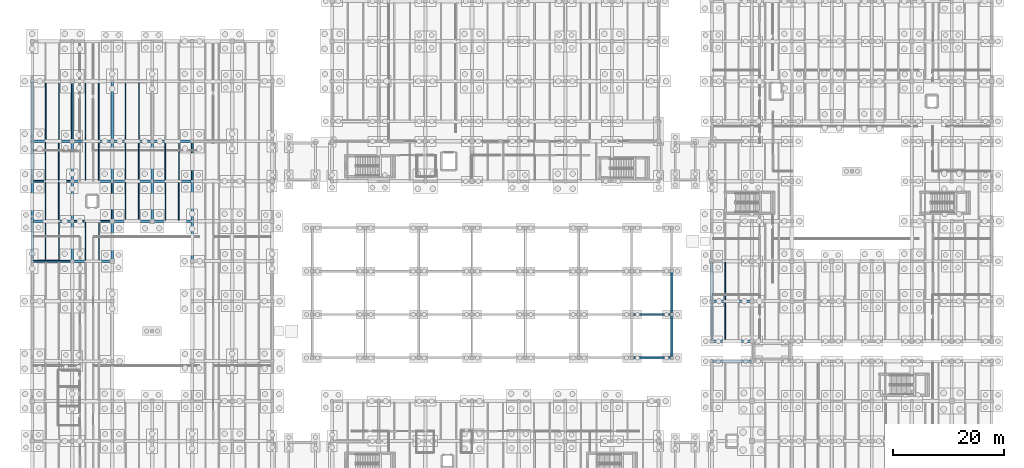
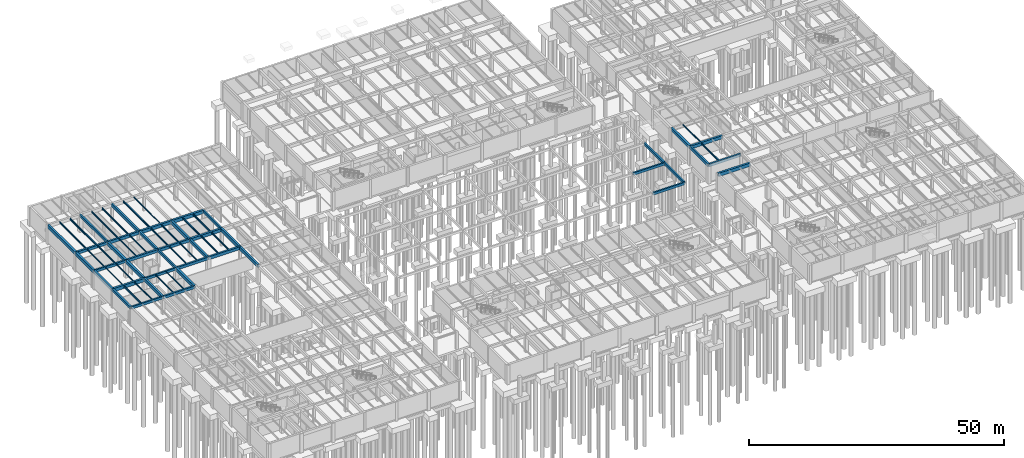
# One storey, part 28 of 63: 66 beams.
"""IFC4 building model written with IfcOpenShell, lengths in metres."""

from ifc_helpers import new_model, si_unit, direction, frame, origin, origin_2d, place, context, subcontext, project, spatial, rectangle, i_section, extrude, material, material_profile, profile_set, type_object, element, save


model = new_model("IFC4")

# Units and contexts
model_context = context("Model", 3, precision=1e-05, world=origin(), true_north=direction((0.0, 1.0)))
body_context = subcontext(model_context, "Body", "Model", "MODEL_VIEW")
ifc_project = project(units=[si_unit("LENGTHUNIT", "METRE"), si_unit("AREAUNIT", "SQUARE_METRE"), si_unit("VOLUMEUNIT", "CUBIC_METRE"), si_unit("PLANEANGLEUNIT", "RADIAN"), si_unit("MASSUNIT", "GRAM", prefix="KILO")], contexts=[model_context])

# Site, building, storey
site_placement = place(None, origin())
site = spatial("IfcSite", under=ifc_project, at=site_placement, CompositionType="ELEMENT")
building_placement = place(site_placement, origin())
building = spatial("IfcBuilding", under=site, at=building_placement, Name="Mazaris Harbour Polytechnic", CompositionType="ELEMENT")
storey_placement = place(building_placement, frame((0.0, 0.0, -4.5)))
storey = spatial("IfcBuildingStorey", under=building, at=storey_placement, Name="B1", CompositionType="ELEMENT", Elevation=-4.5)

# Beams
ifc_material_1 = material(Name="Concrete C35/45", Category="concrete")
ifc_material_profile_1 = material_profile(ifc_material_1, rectangle(XDim=0.35009765625, YDim=0.60009765625, at=origin_2d()), Name="RECT350x600")
ifc_profile_set_1 = profile_set([ifc_material_profile_1], Name="Concrete C35/45")
beam_type_1 = type_object("IfcBeamType", Name="RC Girder 350x600", PredefinedType="BEAM", material=ifc_profile_set_1)
for number, where, z_axis, x_axis, name in (
    (1, (0.0, 61.199951171875, 3.8798828125), (1.0, 0.0, 0.0), (0.0, 1.0, 0.0), "V4 B1 Girder 1120"),
    (2, (7.199951171875, 68.39990234375, 3.8798828125), (1.0, 0.0, 0.0), (0.0, 1.0, 0.0), "V4 B1 Girder 1125"),
    (3, (0.0, 75.60009765625, 3.8798828125), (1.0, 0.0, 0.0), (0.0, 1.0, 0.0), "V4 B1 Girder 1130"),
):
    element("IfcBeam", number, at=place(storey_placement, frame(where, z_axis=z_axis, x_axis=x_axis)), inside=storey, type_object=beam_type_1, Name=name, PredefinedType="BEAM", context=body_context, shape_type="SweptSolid", body=[
        extrude(rectangle(XDim=0.35009765625, YDim=0.60009765625, at=origin_2d()), origin(), (0.0, 0.0, 1.0), 7.199951171875),
    ])
beam_1_placement = place(storey_placement, frame((7.199951171875, 82.800048828125, 3.8798828125), z_axis=(0.0, 1.0, 0.0), x_axis=(-1.0, 0.0, 0.0)))
element("IfcBeam", 4, at=beam_1_placement, inside=storey, type_object=beam_type_1, Name="V4 B1 Tie Girder 1175", PredefinedType="BEAM", context=body_context, shape_type="SweptSolid", body=[
    extrude(rectangle(XDim=0.35009765625, YDim=0.60009765625, at=origin_2d()), origin(), (0.0, 0.0, 1.0), 10.800048828125),
])
beam_2_placement = place(storey_placement, frame((14.39990234375, 68.39990234375, 3.8798828125), z_axis=(0.0, 1.0, 0.0), x_axis=(-1.0, 0.0, 0.0)))
element("IfcBeam", 5, at=beam_2_placement, inside=storey, type_object=beam_type_1, Name="V4 B1 Tie Girder 1185", PredefinedType="BEAM", context=body_context, shape_type="SweptSolid", body=[
    extrude(rectangle(XDim=0.35009765625, YDim=0.60009765625, at=origin_2d()), origin(), (0.0, 0.0, 1.0), 7.2001953125),
])
for number, where, z_axis, x_axis, name in (
    (6, (28.800048828125, 75.60009765625, 3.8798828125), (0.0, 1.0, 0.0), (-1.0, 0.0, 0.0), "V4 B1 Tie Girder 1205"),
    (7, (108.0, 43.800048828125, 3.89990234375), (1.0, 0.0, 0.0), (0.0, 1.0, 0.0), "Courtyard Deck Girder X-3509"),
    (8, (108.0, 51.60009765625, 3.89990234375), (1.0, 0.0, 0.0), (0.0, 1.0, 0.0), "Courtyard Deck Girder X-3516"),
):
    element("IfcBeam", number, at=place(storey_placement, frame(where, z_axis=z_axis, x_axis=x_axis)), inside=storey, type_object=beam_type_1, Name=name, PredefinedType="BEAM", context=body_context, shape_type="SweptSolid", body=[
        extrude(rectangle(XDim=0.35009765625, YDim=0.60009765625, at=origin_2d()), origin(), (0.0, 0.0, 1.0), 7.199951171875),
    ])
beam_3_placement = place(storey_placement, frame((115.199951171875, 43.800048828125, 3.89990234375), z_axis=(0.0, 1.0, 0.0), x_axis=(-1.0, 0.0, 0.0)))
element("IfcBeam", 9, at=beam_3_placement, inside=storey, type_object=beam_type_1, Name="Courtyard Deck Girder Y-3552", PredefinedType="BEAM", context=body_context, shape_type="SweptSolid", body=[
    extrude(rectangle(XDim=0.35009765625, YDim=0.60009765625, at=origin_2d()), origin(), (0.0, 0.0, 1.0), 7.800048828125),
])
beam_4_placement = place(storey_placement, frame((115.199951171875, 51.60009765625, 3.89990234375), z_axis=(0.0, 1.0, 0.0), x_axis=(-1.0, 0.0, 0.0)))
element("IfcBeam", 10, at=beam_4_placement, inside=storey, type_object=beam_type_1, Name="Courtyard Deck Girder Y-3553", PredefinedType="BEAM", context=body_context, shape_type="SweptSolid", body=[
    extrude(rectangle(XDim=0.35009765625, YDim=0.60009765625, at=origin_2d()), origin(), (0.0, 0.0, 1.0), 7.7998046875),
])
ifc_material_2 = material(Name="Concrete C35/45", Category="concrete")
ifc_material_profile_2 = material_profile(ifc_material_2, rectangle(XDim=0.39990234375, YDim=0.64990234375, at=origin_2d()), Name="RECT400x650")
ifc_profile_set_2 = profile_set([ifc_material_profile_2], Name="Concrete C35/45")
beam_type_2 = type_object("IfcBeamType", Name="RC Girder 400x650", PredefinedType="BEAM", material=ifc_profile_set_2)
beam_5_placement = place(storey_placement, frame((7.199951171875, 61.199951171875, 3.85498046875), z_axis=(1.0, 0.0, 0.0), x_axis=(0.0, 1.0, 0.0)))
element("IfcBeam", 11, at=beam_5_placement, inside=storey, type_object=beam_type_2, Name="V4 B1 Girder 1121", PredefinedType="BEAM", context=body_context, shape_type="SweptSolid", body=[
    extrude(rectangle(XDim=0.39990234375, YDim=0.64990234375, at=origin_2d()), origin(), (0.0, 0.0, 1.0), 7.199951171875),
])
beam_6_placement = place(storey_placement, frame((14.39990234375, 68.39990234375, 3.85498046875), z_axis=(1.0, 0.0, 0.0), x_axis=(0.0, 1.0, 0.0)))
element("IfcBeam", 12, at=beam_6_placement, inside=storey, type_object=beam_type_2, Name="V4 B1 Girder 1126", PredefinedType="BEAM", context=body_context, shape_type="SweptSolid", body=[
    extrude(rectangle(XDim=0.39990234375, YDim=0.64990234375, at=origin_2d()), origin(), (0.0, 0.0, 1.0), 7.2001953125),
])
for number, where, z_axis, x_axis, name in (
    (13, (7.199951171875, 75.60009765625, 3.85498046875), (1.0, 0.0, 0.0), (0.0, 1.0, 0.0), "V4 B1 Girder 1131"),
    (14, (0.0, 82.800048828125, 3.85498046875), (1.0, 0.0, 0.0), (0.0, 1.0, 0.0), "V4 B1 Girder 1136"),
    (15, (14.39990234375, 75.60009765625, 3.85498046875), (0.0, 1.0, 0.0), (-1.0, 0.0, 0.0), "V4 B1 Tie Girder 1186"),
):
    element("IfcBeam", number, at=place(storey_placement, frame(where, z_axis=z_axis, x_axis=x_axis)), inside=storey, type_object=beam_type_2, Name=name, PredefinedType="BEAM", context=body_context, shape_type="SweptSolid", body=[
        extrude(rectangle(XDim=0.39990234375, YDim=0.64990234375, at=origin_2d()), origin(), (0.0, 0.0, 1.0), 7.199951171875),
    ])
ifc_material_3 = material(Name="Concrete C35/45", Category="concrete")
ifc_material_profile_3 = material_profile(ifc_material_3, rectangle(XDim=0.39990234375, YDim=0.64990234375, at=origin_2d()), Name="RECT400x650")
ifc_profile_set_3 = profile_set([ifc_material_profile_3], Name="Concrete C35/45")
beam_type_3 = type_object("IfcBeamType", Name="RC Girder 400x650 Exterior", PredefinedType="BEAM", material=ifc_profile_set_3)
beam_7_placement = place(storey_placement, frame((0.0, 61.199951171875, 3.85498046875), z_axis=(0.0, 1.0, 0.0), x_axis=(-1.0, 0.0, 0.0)))
element("IfcBeam", 16, at=beam_7_placement, inside=storey, type_object=beam_type_3, Name="V4 B1 Tie Girder 1161", PredefinedType="BEAM", context=body_context, shape_type="SweptSolid", body=[
    extrude(rectangle(XDim=0.39990234375, YDim=0.64990234375, at=origin_2d()), origin(), (0.0, 0.0, 1.0), 7.199951171875),
])
beam_8_placement = place(storey_placement, frame((122.39990234375, 46.800048828125, 3.85498046875), z_axis=(1.0, 0.0, 0.0), x_axis=(0.0, 1.0, 0.0)))
element("IfcBeam", 17, at=beam_8_placement, inside=storey, type_object=beam_type_3, Name="V5 B1 Girder 2486", PredefinedType="BEAM", context=body_context, shape_type="SweptSolid", body=[
    extrude(rectangle(XDim=0.39990234375, YDim=0.64990234375, at=origin_2d()), origin(), (0.0, 0.0, 1.0), 7.2001953125),
])
ifc_material_4 = material(Name="Concrete C35/45", Category="concrete")
ifc_material_profile_4 = material_profile(ifc_material_4, rectangle(XDim=0.39990234375, YDim=0.699951171875, at=origin_2d()), Name="RECT400x700")
ifc_profile_set_4 = profile_set([ifc_material_profile_4], Name="Concrete C35/45")
beam_type_4 = type_object("IfcBeamType", Name="RC Girder 400x700", PredefinedType="BEAM", material=ifc_profile_set_4)
beam_9_placement = place(storey_placement, frame((21.60009765625, 68.39990234375, 3.830078125), z_axis=(1.0, 0.0, 0.0), x_axis=(0.0, 1.0, 0.0)))
element("IfcBeam", 18, at=beam_9_placement, inside=storey, type_object=beam_type_4, Name="V4 B1 Girder 1127", PredefinedType="BEAM", context=body_context, shape_type="SweptSolid", body=[
    extrude(rectangle(XDim=0.39990234375, YDim=0.699951171875, at=origin_2d()), origin(), (0.0, 0.0, 1.0), 7.199951171875),
])
beam_10_placement = place(storey_placement, frame((14.39990234375, 75.60009765625, 3.830078125), z_axis=(1.0, 0.0, 0.0), x_axis=(0.0, 1.0, 0.0)))
element("IfcBeam", 19, at=beam_10_placement, inside=storey, type_object=beam_type_4, Name="V4 B1 Girder 1132", PredefinedType="BEAM", context=body_context, shape_type="SweptSolid", body=[
    extrude(rectangle(XDim=0.39990234375, YDim=0.699951171875, at=origin_2d()), origin(), (0.0, 0.0, 1.0), 7.2001953125),
])
for number, where, z_axis, x_axis, name in (
    (20, (7.199951171875, 82.800048828125, 3.830078125), (1.0, 0.0, 0.0), (0.0, 1.0, 0.0), "V4 B1 Girder 1137"),
    (21, (7.199951171875, 61.199951171875, 3.830078125), (0.0, 1.0, 0.0), (-1.0, 0.0, 0.0), "V4 B1 Tie Girder 1172"),
):
    element("IfcBeam", number, at=place(storey_placement, frame(where, z_axis=z_axis, x_axis=x_axis)), inside=storey, type_object=beam_type_4, Name=name, PredefinedType="BEAM", context=body_context, shape_type="SweptSolid", body=[
        extrude(rectangle(XDim=0.39990234375, YDim=0.699951171875, at=origin_2d()), origin(), (0.0, 0.0, 1.0), 7.199951171875),
    ])
beam_11_placement = place(storey_placement, frame((14.39990234375, 82.800048828125, 3.830078125), z_axis=(0.0, 1.0, 0.0), x_axis=(-1.0, 0.0, 0.0)))
element("IfcBeam", 22, at=beam_11_placement, inside=storey, type_object=beam_type_4, Name="V4 B1 Tie Girder 1187", PredefinedType="BEAM", context=body_context, shape_type="SweptSolid", body=[
    extrude(rectangle(XDim=0.39990234375, YDim=0.699951171875, at=origin_2d()), origin(), (0.0, 0.0, 1.0), 10.800048828125),
])
ifc_material_5 = material(Name="Concrete C35/45", Category="concrete")
ifc_material_profile_5 = material_profile(ifc_material_5, rectangle(XDim=0.39990234375, YDim=0.699951171875, at=origin_2d()), Name="RECT400x700")
ifc_profile_set_5 = profile_set([ifc_material_profile_5], Name="Concrete C35/45")
beam_type_5 = type_object("IfcBeamType", Name="RC Girder 400x700 Exterior", PredefinedType="BEAM", material=ifc_profile_set_5)
beam_12_placement = place(storey_placement, frame((0.0, 68.39990234375, 3.830078125), z_axis=(0.0, 1.0, 0.0), x_axis=(-1.0, 0.0, 0.0)))
element("IfcBeam", 23, at=beam_12_placement, inside=storey, type_object=beam_type_5, Name="V4 B1 Tie Girder 1162", PredefinedType="BEAM", context=body_context, shape_type="SweptSolid", body=[
    extrude(rectangle(XDim=0.39990234375, YDim=0.699951171875, at=origin_2d()), origin(), (0.0, 0.0, 1.0), 7.2001953125),
])
beam_13_placement = place(storey_placement, frame((122.39990234375, 46.800048828125, 3.830078125), z_axis=(0.0, 1.0, 0.0), x_axis=(-1.0, 0.0, 0.0)))
element("IfcBeam", 24, at=beam_13_placement, inside=storey, type_object=beam_type_5, Name="V5 B1 Tie Girder 2547", PredefinedType="BEAM", context=body_context, shape_type="SweptSolid", body=[
    extrude(rectangle(XDim=0.39990234375, YDim=0.699951171875, at=origin_2d()), origin(), (0.0, 0.0, 1.0), 7.199951171875),
])
ifc_material_6 = material(Name="Concrete C40/50", Category="concrete")
ifc_material_profile_6 = material_profile(ifc_material_6, rectangle(XDim=0.449951171875, YDim=0.75, at=origin_2d()), Name="RECT450x750")
ifc_profile_set_6 = profile_set([ifc_material_profile_6], Name="Concrete C40/50")
beam_type_6 = type_object("IfcBeamType", Name="RC Girder 450x750", PredefinedType="BEAM", material=ifc_profile_set_6)
beam_14_placement = place(storey_placement, frame((21.60009765625, 75.60009765625, 3.804931640625), z_axis=(1.0, 0.0, 0.0), x_axis=(0.0, 1.0, 0.0)))
element("IfcBeam", 25, at=beam_14_placement, inside=storey, type_object=beam_type_6, Name="V4 B1 Girder 1133", PredefinedType="BEAM", context=body_context, shape_type="SweptSolid", body=[
    extrude(rectangle(XDim=0.449951171875, YDim=0.75, at=origin_2d()), origin(), (0.0, 0.0, 1.0), 7.199951171875),
])
for number, where, z_axis, x_axis, name in (
    (26, (14.39990234375, 82.800048828125, 3.804931640625), (1.0, 0.0, 0.0), (0.0, 1.0, 0.0), "V4 B1 Girder 1138"),
    (27, (7.199951171875, 68.39990234375, 3.804931640625), (0.0, 1.0, 0.0), (-1.0, 0.0, 0.0), "V4 B1 Tie Girder 1173"),
    (28, (21.60009765625, 68.39990234375, 3.804931640625), (0.0, 1.0, 0.0), (-1.0, 0.0, 0.0), "V4 B1 Tie Girder 1193"),
):
    element("IfcBeam", number, at=place(storey_placement, frame(where, z_axis=z_axis, x_axis=x_axis)), inside=storey, type_object=beam_type_6, Name=name, PredefinedType="BEAM", context=body_context, shape_type="SweptSolid", body=[
        extrude(rectangle(XDim=0.449951171875, YDim=0.75, at=origin_2d()), origin(), (0.0, 0.0, 1.0), 7.2001953125),
    ])
beam_15_placement = place(storey_placement, frame((28.800048828125, 61.199951171875, 3.804931640625), z_axis=(0.0, 1.0, 0.0), x_axis=(-1.0, 0.0, 0.0)))
element("IfcBeam", 29, at=beam_15_placement, inside=storey, type_object=beam_type_6, Name="V4 B1 Tie Girder 1203", PredefinedType="BEAM", context=body_context, shape_type="SweptSolid", body=[
    extrude(rectangle(XDim=0.449951171875, YDim=0.75, at=origin_2d()), origin(), (0.0, 0.0, 1.0), 7.199951171875),
])
beam_16_placement = place(storey_placement, frame((122.39990234375, 54.0, 3.804931640625), z_axis=(1.0, 0.0, 0.0), x_axis=(0.0, 1.0, 0.0)))
element("IfcBeam", 30, at=beam_16_placement, inside=storey, type_object=beam_type_6, Name="V5 B1 Girder 2493", PredefinedType="BEAM", context=body_context, shape_type="SweptSolid", body=[
    extrude(rectangle(XDim=0.449951171875, YDim=0.75, at=origin_2d()), origin(), (0.0, 0.0, 1.0), 7.2001953125),
])
ifc_material_7 = material(Name="Concrete C40/50", Category="concrete")
ifc_material_profile_7 = material_profile(ifc_material_7, rectangle(XDim=0.449951171875, YDim=0.75, at=origin_2d()), Name="RECT450x750")
ifc_profile_set_7 = profile_set([ifc_material_profile_7], Name="Concrete C40/50")
beam_type_7 = type_object("IfcBeamType", Name="RC Girder 450x750 Exterior", PredefinedType="BEAM", material=ifc_profile_set_7)
for number, where, z_axis, x_axis, name in (
    (31, (0.0, 75.60009765625, 3.804931640625), (0.0, 1.0, 0.0), (-1.0, 0.0, 0.0), "V4 B1 Tie Girder 1163"),
    (32, (122.39990234375, 54.0, 3.804931640625), (0.0, 1.0, 0.0), (-1.0, 0.0, 0.0), "V5 B1 Tie Girder 2548"),
):
    element("IfcBeam", number, at=place(storey_placement, frame(where, z_axis=z_axis, x_axis=x_axis)), inside=storey, type_object=beam_type_7, Name=name, PredefinedType="BEAM", context=body_context, shape_type="SweptSolid", body=[
        extrude(rectangle(XDim=0.449951171875, YDim=0.75, at=origin_2d()), origin(), (0.0, 0.0, 1.0), 7.199951171875),
    ])
ifc_material_8 = material(Name="Concrete C40/50", Category="concrete")
ifc_material_profile_8 = material_profile(ifc_material_8, rectangle(XDim=0.449951171875, YDim=0.800048828125, at=origin_2d()), Name="RECT450x800")
ifc_profile_set_8 = profile_set([ifc_material_profile_8], Name="Concrete C40/50")
beam_type_8 = type_object("IfcBeamType", Name="RC Girder 450x800", PredefinedType="BEAM", material=ifc_profile_set_8)
for number, where, z_axis, x_axis, name in (
    (33, (0.0, 68.39990234375, 3.780029296875), (1.0, 0.0, 0.0), (0.0, 1.0, 0.0), "V4 B1 Girder 1124"),
    (34, (21.60009765625, 82.800048828125, 3.780029296875), (1.0, 0.0, 0.0), (0.0, 1.0, 0.0), "V4 B1 Girder 1139"),
    (35, (7.199951171875, 75.60009765625, 3.780029296875), (0.0, 1.0, 0.0), (-1.0, 0.0, 0.0), "V4 B1 Tie Girder 1174"),
    (36, (14.39990234375, 61.199951171875, 3.780029296875), (0.0, 1.0, 0.0), (-1.0, 0.0, 0.0), "V4 B1 Tie Girder 1184"),
    (37, (21.60009765625, 75.60009765625, 3.780029296875), (0.0, 1.0, 0.0), (-1.0, 0.0, 0.0), "V4 B1 Tie Girder 1194"),
):
    element("IfcBeam", number, at=place(storey_placement, frame(where, z_axis=z_axis, x_axis=x_axis)), inside=storey, type_object=beam_type_8, Name=name, PredefinedType="BEAM", context=body_context, shape_type="SweptSolid", body=[
        extrude(rectangle(XDim=0.449951171875, YDim=0.800048828125, at=origin_2d()), origin(), (0.0, 0.0, 1.0), 7.199951171875),
    ])
beam_17_placement = place(storey_placement, frame((28.800048828125, 68.39990234375, 3.780029296875), z_axis=(0.0, 1.0, 0.0), x_axis=(-1.0, 0.0, 0.0)))
element("IfcBeam", 38, at=beam_17_placement, inside=storey, type_object=beam_type_8, Name="V4 B1 Tie Girder 1204", PredefinedType="BEAM", context=body_context, shape_type="SweptSolid", body=[
    extrude(rectangle(XDim=0.449951171875, YDim=0.800048828125, at=origin_2d()), origin(), (0.0, 0.0, 1.0), 7.2001953125),
])
ifc_material_9 = material(Name="Concrete C40/50", Category="concrete")
ifc_material_profile_9 = material_profile(ifc_material_9, rectangle(XDim=0.449951171875, YDim=0.800048828125, at=origin_2d()), Name="RECT450x800")
ifc_profile_set_9 = profile_set([ifc_material_profile_9], Name="Concrete C40/50")
beam_type_9 = type_object("IfcBeamType", Name="RC Girder 450x800 Exterior", PredefinedType="BEAM", material=ifc_profile_set_9)
beam_18_placement = place(storey_placement, frame((122.39990234375, 43.199951171875, 3.780029296875), z_axis=(1.0, 0.0, 0.0), x_axis=(0.0, 1.0, 0.0)))
element("IfcBeam", 39, at=beam_18_placement, inside=storey, type_object=beam_type_9, Name="V2 B1 Girder 314", PredefinedType="BEAM", context=body_context, shape_type="SweptSolid", body=[
    extrude(rectangle(XDim=0.449951171875, YDim=0.800048828125, at=origin_2d()), origin(), (0.0, 0.0, 1.0), 7.2001953125),
])
beam_19_placement = place(storey_placement, frame((0.0, 82.800048828125, 3.780029296875), z_axis=(0.0, 1.0, 0.0), x_axis=(-1.0, 0.0, 0.0)))
element("IfcBeam", 40, at=beam_19_placement, inside=storey, type_object=beam_type_9, Name="V4 B1 Tie Girder 1164", PredefinedType="BEAM", context=body_context, shape_type="SweptSolid", body=[
    extrude(rectangle(XDim=0.449951171875, YDim=0.800048828125, at=origin_2d()), origin(), (0.0, 0.0, 1.0), 10.800048828125),
])
ifc_material_10 = material(Name="Steel S355", Category="steel")
ifc_material_profile_10 = material_profile(ifc_material_10, i_section(OverallWidth=0.10009765625, OverallDepth=0.199951171875, WebThickness=0.005615234375, FlangeThickness=0.008544921875, FilletRadius=0.011962890625, at=origin_2d()), Name="IPE 200")
ifc_profile_set_10 = profile_set([ifc_material_profile_10], Name="Steel S355")
beam_type_10 = type_object("IfcBeamType", Name="Steel Joist IPE200", PredefinedType="JOIST", material=ifc_profile_set_10)
beam_20_placement = place(storey_placement, frame((4.800048828125, 61.375, 4.080078125), z_axis=(0.0, 1.0, 0.0), x_axis=(-1.0, 0.0, 0.0)))
element("IfcBeam", 41, at=beam_20_placement, inside=storey, type_object=beam_type_10, Name="V4 B1 Floor Joist 1246", PredefinedType="JOIST", context=body_context, shape_type="SweptSolid", body=[
    extrude(i_section(OverallWidth=0.10009765625, OverallDepth=0.199951171875, WebThickness=0.005615234375, FlangeThickness=0.008544921875, FilletRadius=0.011962890625, at=origin_2d()), origin(), (0.0, 0.0, 1.0), 6.800048828125),
])
beam_21_placement = place(storey_placement, frame((9.60009765625, 61.39990234375, 4.080078125), z_axis=(0.0, 1.0, 0.0), x_axis=(-1.0, 0.0, 0.0)))
element("IfcBeam", 42, at=beam_21_placement, inside=storey, type_object=beam_type_10, Name="V4 B1 Floor Joist 1267", PredefinedType="JOIST", context=body_context, shape_type="SweptSolid", body=[
    extrude(i_section(OverallWidth=0.10009765625, OverallDepth=0.199951171875, WebThickness=0.005615234375, FlangeThickness=0.008544921875, FilletRadius=0.011962890625, at=origin_2d()), origin(), (0.0, 0.0, 1.0), 6.8251953125),
])
beam_22_placement = place(storey_placement, frame((19.199951171875, 83.02490234375, 4.080078125), z_axis=(0.0, 1.0, 0.0), x_axis=(-1.0, 0.0, 0.0)))
element("IfcBeam", 43, at=beam_22_placement, inside=storey, type_object=beam_type_10, Name="V4 B1 Floor Joist 1288", PredefinedType="JOIST", context=body_context, shape_type="SweptSolid", body=[
    extrude(i_section(OverallWidth=0.10009765625, OverallDepth=0.199951171875, WebThickness=0.005615234375, FlangeThickness=0.008544921875, FilletRadius=0.011962890625, at=origin_2d()), origin(), (0.0, 0.0, 1.0), 10.35009765625),
])
beam_23_placement = place(storey_placement, frame((124.800048828125, 54.22509765625, 4.080078125), z_axis=(0.0, 1.0, 0.0), x_axis=(-1.0, 0.0, 0.0)))
element("IfcBeam", 44, at=beam_23_placement, inside=storey, type_object=beam_type_10, Name="V5 B1 Floor Joist 2611", PredefinedType="JOIST", context=body_context, shape_type="SweptSolid", body=[
    extrude(i_section(OverallWidth=0.10009765625, OverallDepth=0.199951171875, WebThickness=0.005615234375, FlangeThickness=0.008544921875, FilletRadius=0.011962890625, at=origin_2d()), origin(), (0.0, 0.0, 1.0), 6.7998046875),
])
ifc_material_11 = material(Name="Steel S355", Category="steel")
ifc_material_profile_11 = material_profile(ifc_material_11, i_section(OverallWidth=0.1201171875, OverallDepth=0.239990234375, WebThickness=0.006103515625, FlangeThickness=0.009765625, FilletRadius=0.014892578125, at=origin_2d()), Name="IPE 240")
ifc_profile_set_11 = profile_set([ifc_material_profile_11], Name="Steel S355")
beam_type_11 = type_object("IfcBeamType", Name="Steel Joist IPE240", PredefinedType="JOIST", material=ifc_profile_set_11)
beam_24_placement = place(storey_placement, frame((2.39990234375, 68.625, 4.06005859375), z_axis=(0.0, 1.0, 0.0), x_axis=(-1.0, 0.0, 0.0)))
element("IfcBeam", 45, at=beam_24_placement, inside=storey, type_object=beam_type_11, Name="V4 B1 Floor Joist 1247", PredefinedType="JOIST", context=body_context, shape_type="SweptSolid", body=[
    extrude(i_section(OverallWidth=0.1201171875, OverallDepth=0.239990234375, WebThickness=0.006103515625, FlangeThickness=0.009765625, FilletRadius=0.014892578125, at=origin_2d()), origin(), (0.0, 0.0, 1.0), 6.800048828125),
])
beam_25_placement = place(storey_placement, frame((12.0, 61.39990234375, 4.06005859375), z_axis=(0.0, 1.0, 0.0), x_axis=(-1.0, 0.0, 0.0)))
element("IfcBeam", 46, at=beam_25_placement, inside=storey, type_object=beam_type_11, Name="V4 B1 Floor Joist 1268", PredefinedType="JOIST", context=body_context, shape_type="SweptSolid", body=[
    extrude(i_section(OverallWidth=0.1201171875, OverallDepth=0.239990234375, WebThickness=0.006103515625, FlangeThickness=0.009765625, FilletRadius=0.014892578125, at=origin_2d()), origin(), (0.0, 0.0, 1.0), 6.8251953125),
])
ifc_material_12 = material(Name="Steel S355", Category="steel")
ifc_material_profile_12 = material_profile(ifc_material_12, i_section(OverallWidth=0.135009765625, OverallDepth=0.27001953125, WebThickness=0.006591796875, FlangeThickness=0.01025390625, FilletRadius=0.014892578125, at=origin_2d()), Name="IPE 270")
ifc_profile_set_12 = profile_set([ifc_material_profile_12], Name="Steel S355")
beam_type_12 = type_object("IfcBeamType", Name="Steel Joist IPE270", PredefinedType="JOIST", material=ifc_profile_set_12)
for number, where, z_axis, x_axis, name in (
    (47, (4.800048828125, 68.625, 4.044921875), (0.0, 1.0, 0.0), (-1.0, 0.0, 0.0), "V4 B1 Floor Joist 1248"),
    (48, (9.60009765625, 75.800048828125, 4.044921875), (0.0, 1.0, 0.0), (-1.0, 0.0, 0.0), "V4 B1 Floor Joist 1269"),
):
    element("IfcBeam", number, at=place(storey_placement, frame(where, z_axis=z_axis, x_axis=x_axis)), inside=storey, type_object=beam_type_12, Name=name, PredefinedType="JOIST", context=body_context, shape_type="SweptSolid", body=[
        extrude(i_section(OverallWidth=0.135009765625, OverallDepth=0.27001953125, WebThickness=0.006591796875, FlangeThickness=0.01025390625, FilletRadius=0.014892578125, at=origin_2d()), origin(), (0.0, 0.0, 1.0), 6.800048828125),
    ])
beam_26_placement = place(storey_placement, frame((16.800048828125, 68.60009765625, 4.044921875), z_axis=(0.0, 1.0, 0.0), x_axis=(-1.0, 0.0, 0.0)))
element("IfcBeam", 49, at=beam_26_placement, inside=storey, type_object=beam_type_12, Name="V4 B1 Floor Joist 1283", PredefinedType="JOIST", context=body_context, shape_type="SweptSolid", body=[
    extrude(i_section(OverallWidth=0.135009765625, OverallDepth=0.27001953125, WebThickness=0.006591796875, FlangeThickness=0.01025390625, FilletRadius=0.014892578125, at=origin_2d()), origin(), (0.0, 0.0, 1.0), 6.7998046875),
])
ifc_material_13 = material(Name="Steel S355", Category="steel")
ifc_material_profile_13 = material_profile(ifc_material_13, i_section(OverallWidth=0.14990234375, OverallDepth=0.300048828125, WebThickness=0.007080078125, FlangeThickness=0.0107421875, FilletRadius=0.014892578125, at=origin_2d()), Name="IPE 300")
ifc_profile_set_13 = profile_set([ifc_material_profile_13], Name="Steel S355")
beam_type_13 = type_object("IfcBeamType", Name="Steel Joist IPE300", PredefinedType="JOIST", material=ifc_profile_set_13)
beam_27_placement = place(storey_placement, frame((2.39990234375, 75.77490234375, 4.030029296875), z_axis=(0.0, 1.0, 0.0), x_axis=(-1.0, 0.0, 0.0)))
element("IfcBeam", 50, at=beam_27_placement, inside=storey, type_object=beam_type_13, Name="V4 B1 Floor Joist 1249", PredefinedType="JOIST", context=body_context, shape_type="SweptSolid", body=[
    extrude(i_section(OverallWidth=0.14990234375, OverallDepth=0.300048828125, WebThickness=0.007080078125, FlangeThickness=0.0107421875, FilletRadius=0.014892578125, at=origin_2d()), origin(), (0.0, 0.0, 1.0), 6.8251953125),
])
beam_28_placement = place(storey_placement, frame((12.0, 75.800048828125, 4.030029296875), z_axis=(0.0, 1.0, 0.0), x_axis=(-1.0, 0.0, 0.0)))
element("IfcBeam", 51, at=beam_28_placement, inside=storey, type_object=beam_type_13, Name="V4 B1 Floor Joist 1270", PredefinedType="JOIST", context=body_context, shape_type="SweptSolid", body=[
    extrude(i_section(OverallWidth=0.14990234375, OverallDepth=0.300048828125, WebThickness=0.007080078125, FlangeThickness=0.0107421875, FilletRadius=0.014892578125, at=origin_2d()), origin(), (0.0, 0.0, 1.0), 6.800048828125),
])
beam_29_placement = place(storey_placement, frame((19.199951171875, 68.60009765625, 4.030029296875), z_axis=(0.0, 1.0, 0.0), x_axis=(-1.0, 0.0, 0.0)))
element("IfcBeam", 52, at=beam_29_placement, inside=storey, type_object=beam_type_13, Name="V4 B1 Floor Joist 1284", PredefinedType="JOIST", context=body_context, shape_type="SweptSolid", body=[
    extrude(i_section(OverallWidth=0.14990234375, OverallDepth=0.300048828125, WebThickness=0.007080078125, FlangeThickness=0.0107421875, FilletRadius=0.014892578125, at=origin_2d()), origin(), (0.0, 0.0, 1.0), 6.7998046875),
])
beam_30_placement = place(storey_placement, frame((24.0, 68.60009765625, 4.030029296875), z_axis=(0.0, 1.0, 0.0), x_axis=(-1.0, 0.0, 0.0)))
element("IfcBeam", 53, at=beam_30_placement, inside=storey, type_object=beam_type_13, Name="V4 B1 Floor Joist 1298", PredefinedType="JOIST", context=body_context, shape_type="SweptSolid", body=[
    extrude(i_section(OverallWidth=0.14990234375, OverallDepth=0.300048828125, WebThickness=0.007080078125, FlangeThickness=0.0107421875, FilletRadius=0.014892578125, at=origin_2d()), origin(), (0.0, 0.0, 1.0), 6.77490234375),
])
ifc_material_14 = material(Name="Steel S355", Category="steel")
ifc_material_profile_14 = material_profile(ifc_material_14, i_section(OverallWidth=0.169921875, OverallDepth=0.360107421875, WebThickness=0.008056640625, FlangeThickness=0.0126953125, FilletRadius=0.01806640625, at=origin_2d()), Name="IPE 360")
ifc_profile_set_14 = profile_set([ifc_material_profile_14], Name="Steel S355")
beam_type_14 = type_object("IfcBeamType", Name="Steel Joist IPE360", PredefinedType="JOIST", material=ifc_profile_set_14)
beam_31_placement = place(storey_placement, frame((4.800048828125, 75.77490234375, 4.0), z_axis=(0.0, 1.0, 0.0), x_axis=(-1.0, 0.0, 0.0)))
element("IfcBeam", 54, at=beam_31_placement, inside=storey, type_object=beam_type_14, Name="V4 B1 Floor Joist 1250", PredefinedType="JOIST", context=body_context, shape_type="SweptSolid", body=[
    extrude(i_section(OverallWidth=0.169921875, OverallDepth=0.360107421875, WebThickness=0.008056640625, FlangeThickness=0.0126953125, FilletRadius=0.01806640625, at=origin_2d()), origin(), (0.0, 0.0, 1.0), 6.8251953125),
])
beam_32_placement = place(storey_placement, frame((9.60009765625, 83.0, 4.0), z_axis=(0.0, 1.0, 0.0), x_axis=(-1.0, 0.0, 0.0)))
element("IfcBeam", 55, at=beam_32_placement, inside=storey, type_object=beam_type_14, Name="V4 B1 Floor Joist 1271", PredefinedType="JOIST", context=body_context, shape_type="SweptSolid", body=[
    extrude(i_section(OverallWidth=0.169921875, OverallDepth=0.360107421875, WebThickness=0.008056640625, FlangeThickness=0.0126953125, FilletRadius=0.01806640625, at=origin_2d()), origin(), (0.0, 0.0, 1.0), 10.375),
])
for number, where, z_axis, x_axis, name in (
    (56, (16.800048828125, 75.800048828125, 4.0), (0.0, 1.0, 0.0), (-1.0, 0.0, 0.0), "V4 B1 Floor Joist 1285"),
    (57, (26.39990234375, 68.60009765625, 4.0), (0.0, 1.0, 0.0), (-1.0, 0.0, 0.0), "V4 B1 Floor Joist 1299"),
):
    element("IfcBeam", number, at=place(storey_placement, frame(where, z_axis=z_axis, x_axis=x_axis)), inside=storey, type_object=beam_type_14, Name=name, PredefinedType="JOIST", context=body_context, shape_type="SweptSolid", body=[
        extrude(i_section(OverallWidth=0.169921875, OverallDepth=0.360107421875, WebThickness=0.008056640625, FlangeThickness=0.0126953125, FilletRadius=0.01806640625, at=origin_2d()), origin(), (0.0, 0.0, 1.0), 6.77490234375),
    ])
ifc_material_15 = material(Name="Steel S355", Category="steel")
ifc_material_profile_15 = material_profile(ifc_material_15, i_section(OverallWidth=0.179931640625, OverallDepth=0.39990234375, WebThickness=0.008544921875, FlangeThickness=0.013427734375, FilletRadius=0.02099609375, at=origin_2d()), Name="IPE 400")
ifc_profile_set_15 = profile_set([ifc_material_profile_15], Name="Steel S355")
beam_type_15 = type_object("IfcBeamType", Name="Steel Joist IPE400", PredefinedType="JOIST", material=ifc_profile_set_15)
beam_33_placement = place(storey_placement, frame((2.39990234375, 83.0, 3.97998046875), z_axis=(0.0, 1.0, 0.0), x_axis=(-1.0, 0.0, 0.0)))
element("IfcBeam", 58, at=beam_33_placement, inside=storey, type_object=beam_type_15, Name="V4 B1 Floor Joist 1251", PredefinedType="JOIST", context=body_context, shape_type="SweptSolid", body=[
    extrude(i_section(OverallWidth=0.179931640625, OverallDepth=0.39990234375, WebThickness=0.008544921875, FlangeThickness=0.013427734375, FilletRadius=0.02099609375, at=origin_2d()), origin(), (0.0, 0.0, 1.0), 10.39990234375),
])
beam_34_placement = place(storey_placement, frame((12.0, 83.0, 3.97998046875), z_axis=(0.0, 1.0, 0.0), x_axis=(-1.0, 0.0, 0.0)))
element("IfcBeam", 59, at=beam_34_placement, inside=storey, type_object=beam_type_15, Name="V4 B1 Floor Joist 1272", PredefinedType="JOIST", context=body_context, shape_type="SweptSolid", body=[
    extrude(i_section(OverallWidth=0.179931640625, OverallDepth=0.39990234375, WebThickness=0.008544921875, FlangeThickness=0.013427734375, FilletRadius=0.02099609375, at=origin_2d()), origin(), (0.0, 0.0, 1.0), 10.375),
])
beam_35_placement = place(storey_placement, frame((19.199951171875, 75.800048828125, 3.97998046875), z_axis=(0.0, 1.0, 0.0), x_axis=(-1.0, 0.0, 0.0)))
element("IfcBeam", 60, at=beam_35_placement, inside=storey, type_object=beam_type_15, Name="V4 B1 Floor Joist 1286", PredefinedType="JOIST", context=body_context, shape_type="SweptSolid", body=[
    extrude(i_section(OverallWidth=0.179931640625, OverallDepth=0.39990234375, WebThickness=0.008544921875, FlangeThickness=0.013427734375, FilletRadius=0.02099609375, at=origin_2d()), origin(), (0.0, 0.0, 1.0), 6.77490234375),
])
beam_36_placement = place(storey_placement, frame((24.0, 75.824951171875, 3.97998046875), z_axis=(0.0, 1.0, 0.0), x_axis=(-1.0, 0.0, 0.0)))
element("IfcBeam", 61, at=beam_36_placement, inside=storey, type_object=beam_type_15, Name="V4 B1 Floor Joist 1300", PredefinedType="JOIST", context=body_context, shape_type="SweptSolid", body=[
    extrude(i_section(OverallWidth=0.179931640625, OverallDepth=0.39990234375, WebThickness=0.008544921875, FlangeThickness=0.013427734375, FilletRadius=0.02099609375, at=origin_2d()), origin(), (0.0, 0.0, 1.0), 6.75),
])
beam_37_placement = place(storey_placement, frame((124.800048828125, 47.0, 3.97998046875), z_axis=(0.0, 1.0, 0.0), x_axis=(-1.0, 0.0, 0.0)))
element("IfcBeam", 62, at=beam_37_placement, inside=storey, type_object=beam_type_15, Name="V5 B1 Floor Joist 2609", PredefinedType="JOIST", context=body_context, shape_type="SweptSolid", body=[
    extrude(i_section(OverallWidth=0.179931640625, OverallDepth=0.39990234375, WebThickness=0.008544921875, FlangeThickness=0.013427734375, FilletRadius=0.02099609375, at=origin_2d()), origin(), (0.0, 0.0, 1.0), 6.77490234375),
])
ifc_material_16 = material(Name="Steel S355", Category="steel")
ifc_material_profile_16 = material_profile(ifc_material_16, i_section(OverallWidth=0.18994140625, OverallDepth=0.449951171875, WebThickness=0.009521484375, FlangeThickness=0.0146484375, FilletRadius=0.02099609375, at=origin_2d()), Name="IPE 450")
ifc_profile_set_16 = profile_set([ifc_material_profile_16], Name="Steel S355")
beam_type_16 = type_object("IfcBeamType", Name="Steel Joist IPE450", PredefinedType="JOIST", material=ifc_profile_set_16)
beam_38_placement = place(storey_placement, frame((2.39990234375, 61.375, 3.955078125), z_axis=(0.0, 1.0, 0.0), x_axis=(-1.0, 0.0, 0.0)))
element("IfcBeam", 63, at=beam_38_placement, inside=storey, type_object=beam_type_16, Name="V4 B1 Floor Joist 1245", PredefinedType="JOIST", context=body_context, shape_type="SweptSolid", body=[
    extrude(i_section(OverallWidth=0.18994140625, OverallDepth=0.449951171875, WebThickness=0.009521484375, FlangeThickness=0.0146484375, FilletRadius=0.02099609375, at=origin_2d()), origin(), (0.0, 0.0, 1.0), 6.800048828125),
])
beam_39_placement = place(storey_placement, frame((4.800048828125, 83.0, 3.955078125), z_axis=(0.0, 1.0, 0.0), x_axis=(-1.0, 0.0, 0.0)))
element("IfcBeam", 64, at=beam_39_placement, inside=storey, type_object=beam_type_16, Name="V4 B1 Floor Joist 1252", PredefinedType="JOIST", context=body_context, shape_type="SweptSolid", body=[
    extrude(i_section(OverallWidth=0.18994140625, OverallDepth=0.449951171875, WebThickness=0.009521484375, FlangeThickness=0.0146484375, FilletRadius=0.02099609375, at=origin_2d()), origin(), (0.0, 0.0, 1.0), 10.39990234375),
])
beam_40_placement = place(storey_placement, frame((16.800048828125, 83.02490234375, 3.955078125), z_axis=(0.0, 1.0, 0.0), x_axis=(-1.0, 0.0, 0.0)))
element("IfcBeam", 65, at=beam_40_placement, inside=storey, type_object=beam_type_16, Name="V4 B1 Floor Joist 1287", PredefinedType="JOIST", context=body_context, shape_type="SweptSolid", body=[
    extrude(i_section(OverallWidth=0.18994140625, OverallDepth=0.449951171875, WebThickness=0.009521484375, FlangeThickness=0.0146484375, FilletRadius=0.02099609375, at=origin_2d()), origin(), (0.0, 0.0, 1.0), 10.35009765625),
])
beam_41_placement = place(storey_placement, frame((26.39990234375, 75.824951171875, 3.955078125), z_axis=(0.0, 1.0, 0.0), x_axis=(-1.0, 0.0, 0.0)))
element("IfcBeam", 66, at=beam_41_placement, inside=storey, type_object=beam_type_16, Name="V4 B1 Floor Joist 1301", PredefinedType="JOIST", context=body_context, shape_type="SweptSolid", body=[
    extrude(i_section(OverallWidth=0.18994140625, OverallDepth=0.449951171875, WebThickness=0.009521484375, FlangeThickness=0.0146484375, FilletRadius=0.02099609375, at=origin_2d()), origin(), (0.0, 0.0, 1.0), 6.75),
])

save(model, "model.ifc")
